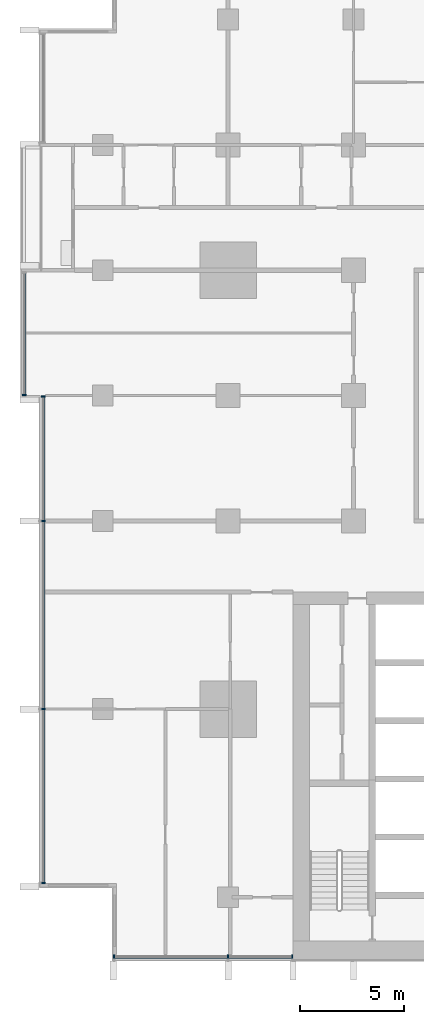
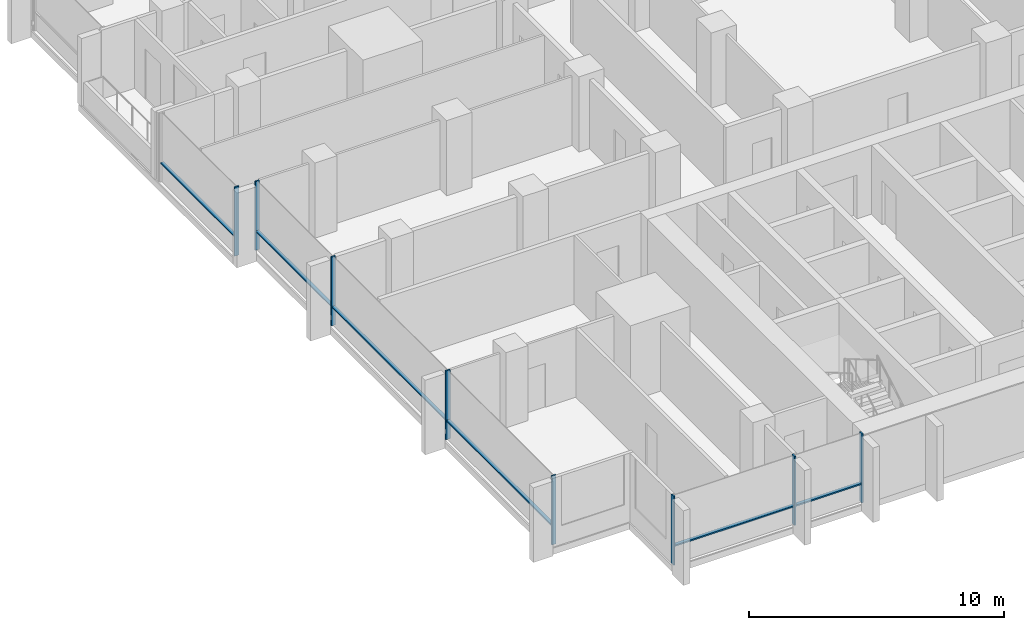
# One storey, part 2 of 17: 14 members, 3 elements without a shape of their own.
"""IFC4 building model written with IfcOpenShell, lengths in metres."""

from ifc_helpers import new_model, si_unit, direction, frame, origin, origin_2d, place, context, subcontext, project, spatial, rectangle, extrude, material, material_profile, profile_set, type_object, element, aggregate, save


model = new_model("IFC4")

# Units and contexts
model_context = context("Model", 3, precision=1e-05, world=origin(), true_north=direction((0.0, 1.0)))
body_context = subcontext(model_context, "Body", "Model", "MODEL_VIEW")
ifc_project = project(units=[si_unit("LENGTHUNIT", "METRE"), si_unit("AREAUNIT", "SQUARE_METRE"), si_unit("VOLUMEUNIT", "CUBIC_METRE"), si_unit("PLANEANGLEUNIT", "RADIAN"), si_unit("MASSUNIT", "GRAM", prefix="KILO")], contexts=[model_context])

# Site, building, storey
site_placement = place(None, origin())
site = spatial("IfcSite", under=ifc_project, at=site_placement, CompositionType="ELEMENT")
building_placement = place(site_placement, origin())
building = spatial("IfcBuilding", under=site, at=building_placement, Name="Finial Court Residences", CompositionType="ELEMENT")
storey_placement = place(building_placement, frame((0.0, 0.0, 95.5)))
storey = spatial("IfcBuildingStorey", under=building, at=storey_placement, Name="L23", CompositionType="ELEMENT", Elevation=95.5)

# Curtain wall, members
ifc_material = material(Name="Bronze anodised aluminium", Category="aluminium")
curtain_wall_type = type_object("IfcCurtainWallType", Name="Unitised curtain wall, lower and middle zones", PredefinedType="NOTDEFINED", material=ifc_material)
curtain_wall_1_placement = place(storey_placement, origin())
curtain_wall_1 = element("IfcCurtainWall", 1, at=curtain_wall_1_placement, inside=storey, type_object=curtain_wall_type, Name="E-L23-CW-S7", PredefinedType="NOTDEFINED")
ifc_material_profile_1 = material_profile(ifc_material, rectangle(XDim=0.199951171875, YDim=0.06494140625, at=origin_2d()), Name="CW1 mullion 65 x 200")
ifc_profile_set_1 = profile_set([ifc_material_profile_1], Name="Bronze anodised aluminium")
member_type_1 = type_object("IfcMemberType", Name="CW1 mullion 65 x 200", PredefinedType="MULLION", material=ifc_profile_set_1)
member_1_placement = place(storey_placement, frame((-21.967529296875, -25.35009765625, 0.0), z_axis=(0.0, 0.0, 1.0), x_axis=(0.0, 1.0, 0.0)))
member_1 = element("IfcMember", 2, at=member_1_placement, type_object=member_type_1, Name="CW1 mullion 1", PredefinedType="MULLION", context=body_context, shape_type="SweptSolid", body=[
    extrude(rectangle(XDim=0.199951171875, YDim=0.06494140625, at=origin_2d()), origin(), (0.0, 0.0, 1.0), 3.300048828125),
])
member_2_placement = place(storey_placement, frame((-16.5, -25.35009765625, 0.0), z_axis=(0.0, 0.0, 1.0), x_axis=(0.0, 1.0, 0.0)))
member_2 = element("IfcMember", 3, at=member_2_placement, type_object=member_type_1, Name="CW1 mullion 2", PredefinedType="MULLION", context=body_context, shape_type="SweptSolid", body=[
    extrude(rectangle(XDim=0.199951171875, YDim=0.06494140625, at=origin_2d()), origin(), (0.0, 0.0, 1.0), 3.300048828125),
])
member_3_placement = place(storey_placement, frame((-13.4326171875, -25.35009765625, 0.0), z_axis=(0.0, 0.0, 1.0), x_axis=(0.0, 1.0, 0.0)))
member_3 = element("IfcMember", 4, at=member_3_placement, type_object=member_type_1, Name="CW1 mullion 3", PredefinedType="MULLION", context=body_context, shape_type="SweptSolid", body=[
    extrude(rectangle(XDim=0.199951171875, YDim=0.06494140625, at=origin_2d()), origin(), (0.0, 0.0, 1.0), 3.300048828125),
])

curtain_wall_2_placement = place(storey_placement, origin())
curtain_wall_2 = element("IfcCurtainWall", 5, at=curtain_wall_2_placement, inside=storey, type_object=curtain_wall_type, Name="E-L23-CW-W9", PredefinedType="NOTDEFINED")
member_4_placement = place(storey_placement, frame((-25.35009765625, -21.8173828125, 0.0), z_axis=(0.0, 0.0, 1.0), x_axis=(-1.0, 0.0, 0.0)))
member_4 = element("IfcMember", 6, at=member_4_placement, type_object=member_type_1, Name="CW1 mullion 1", PredefinedType="MULLION", context=body_context, shape_type="SweptSolid", body=[
    extrude(rectangle(XDim=0.199951171875, YDim=0.06494140625, at=origin_2d()), origin(), (0.0, 0.0, 1.0), 3.300048828125),
])
member_5_placement = place(storey_placement, frame((-25.35009765625, -13.5, 0.0), z_axis=(0.0, 0.0, 1.0), x_axis=(-1.0, 0.0, 0.0)))
member_5 = element("IfcMember", 7, at=member_5_placement, type_object=member_type_1, Name="CW1 mullion 2", PredefinedType="MULLION", context=body_context, shape_type="SweptSolid", body=[
    extrude(rectangle(XDim=0.199951171875, YDim=0.06494140625, at=origin_2d()), origin(), (0.0, 0.0, 1.0), 3.300048828125),
])
member_6_placement = place(storey_placement, frame((-25.35009765625, -4.5, 0.0), z_axis=(0.0, 0.0, 1.0), x_axis=(-1.0, 0.0, 0.0)))
member_6 = element("IfcMember", 8, at=member_6_placement, type_object=member_type_1, Name="CW1 mullion 3", PredefinedType="MULLION", context=body_context, shape_type="SweptSolid", body=[
    extrude(rectangle(XDim=0.199951171875, YDim=0.06494140625, at=origin_2d()), origin(), (0.0, 0.0, 1.0), 3.300048828125),
])
member_7_placement = place(storey_placement, frame((-25.35009765625, 1.467529296875, 0.0), z_axis=(0.0, 0.0, 1.0), x_axis=(-1.0, 0.0, 0.0)))
member_7 = element("IfcMember", 9, at=member_7_placement, type_object=member_type_1, Name="CW1 mullion 4", PredefinedType="MULLION", context=body_context, shape_type="SweptSolid", body=[
    extrude(rectangle(XDim=0.199951171875, YDim=0.06494140625, at=origin_2d()), origin(), (0.0, 0.0, 1.0), 3.300048828125),
])

# Curtain wall, member
curtain_wall_3_placement = place(storey_placement, origin())
curtain_wall_3 = element("IfcCurtainWall", 10, at=curtain_wall_3_placement, inside=storey, type_object=curtain_wall_type, Name="E-L23-CW-W10", PredefinedType="NOTDEFINED")
member_8_placement = place(storey_placement, frame((-26.25, 1.532470703125, 0.0), z_axis=(0.0, 0.0, 1.0), x_axis=(-1.0, 0.0, 0.0)))
member_8 = element("IfcMember", 11, at=member_8_placement, type_object=member_type_1, Name="CW1 mullion 1", PredefinedType="MULLION", context=body_context, shape_type="SweptSolid", body=[
    extrude(rectangle(XDim=0.199951171875, YDim=0.06494140625, at=origin_2d()), origin(), (0.0, 0.0, 1.0), 3.300048828125),
])

# Member
ifc_material_profile_2 = material_profile(ifc_material, rectangle(XDim=0.14990234375, YDim=0.06494140625, at=origin_2d()), Name="CW1 transom 65 x 150")
ifc_profile_set_2 = profile_set([ifc_material_profile_2], Name="Bronze anodised aluminium")
member_type_2 = type_object("IfcMemberType", Name="CW1 transom 65 x 150", PredefinedType="USERDEFINED", material=ifc_profile_set_2)
member_9_placement = place(storey_placement, frame((-21.93505859375, -25.35009765625, 0.89990234375), z_axis=(1.0, 0.0, 0.0), x_axis=(0.0, 1.0, 0.0)))
member_9 = element("IfcMember", 12, at=member_9_placement, type_object=member_type_2, Name="CW1 transom 1.1", ObjectType="TRANSOM", PredefinedType="USERDEFINED", context=body_context, shape_type="SweptSolid", body=[
    extrude(rectangle(XDim=0.14990234375, YDim=0.06494140625, at=origin_2d()), origin(), (0.0, 0.0, 1.0), 5.402587890625),
])

member_10_placement = place(storey_placement, frame((-16.467529296875, -25.35009765625, 0.89990234375), z_axis=(1.0, 0.0, 0.0), x_axis=(0.0, 1.0, 0.0)))
member_10 = element("IfcMember", 13, at=member_10_placement, type_object=member_type_2, Name="CW1 transom 2.1", ObjectType="TRANSOM", PredefinedType="USERDEFINED", context=body_context, shape_type="SweptSolid", body=[
    extrude(rectangle(XDim=0.14990234375, YDim=0.06494140625, at=origin_2d()), origin(), (0.0, 0.0, 1.0), 3.00244140625),
])

aggregate(curtain_wall_1, [member_1, member_2, member_3, member_9, member_10])

member_11_placement = place(storey_placement, frame((-25.35009765625, -21.784912109375, 0.89990234375), z_axis=(0.0, 1.0, 0.0), x_axis=(-1.0, 0.0, 0.0)))
member_11 = element("IfcMember", 14, at=member_11_placement, type_object=member_type_2, Name="CW1 transom 1.1", ObjectType="TRANSOM", PredefinedType="USERDEFINED", context=body_context, shape_type="SweptSolid", body=[
    extrude(rectangle(XDim=0.14990234375, YDim=0.06494140625, at=origin_2d()), origin(), (0.0, 0.0, 1.0), 8.25244140625),
])

member_12_placement = place(storey_placement, frame((-25.35009765625, -13.467529296875, 0.89990234375), z_axis=(0.0, 1.0, 0.0), x_axis=(-1.0, 0.0, 0.0)))
member_12 = element("IfcMember", 15, at=member_12_placement, type_object=member_type_2, Name="CW1 transom 2.1", ObjectType="TRANSOM", PredefinedType="USERDEFINED", context=body_context, shape_type="SweptSolid", body=[
    extrude(rectangle(XDim=0.14990234375, YDim=0.06494140625, at=origin_2d()), origin(), (0.0, 0.0, 1.0), 8.93505859375),
])

member_13_placement = place(storey_placement, frame((-25.35009765625, -4.467529296875, 0.89990234375), z_axis=(0.0, 1.0, 0.0), x_axis=(-1.0, 0.0, 0.0)))
member_13 = element("IfcMember", 16, at=member_13_placement, type_object=member_type_2, Name="CW1 transom 3.1", ObjectType="TRANSOM", PredefinedType="USERDEFINED", context=body_context, shape_type="SweptSolid", body=[
    extrude(rectangle(XDim=0.14990234375, YDim=0.06494140625, at=origin_2d()), origin(), (0.0, 0.0, 1.0), 5.902587890625),
])

aggregate(curtain_wall_2, [member_4, member_5, member_6, member_7, member_11, member_12, member_13])

member_14_placement = place(storey_placement, frame((-26.25, 1.56494140625, 0.89990234375), z_axis=(0.0, 1.0, 0.0), x_axis=(-1.0, 0.0, 0.0)))
member_14 = element("IfcMember", 17, at=member_14_placement, type_object=member_type_2, Name="CW1 transom 1.1", ObjectType="TRANSOM", PredefinedType="USERDEFINED", context=body_context, shape_type="SweptSolid", body=[
    extrude(rectangle(XDim=0.14990234375, YDim=0.06494140625, at=origin_2d()), origin(), (0.0, 0.0, 1.0), 5.795166015625),
])

aggregate(curtain_wall_3, [member_8, member_14])

save(model, "model.ifc")
